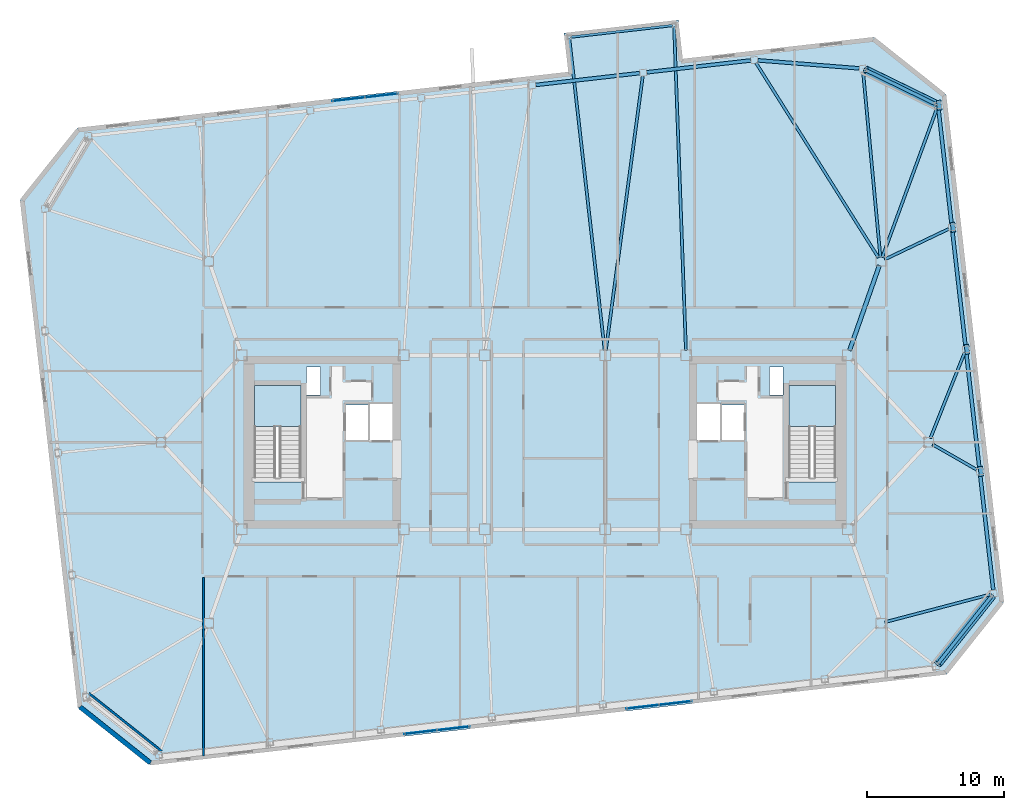
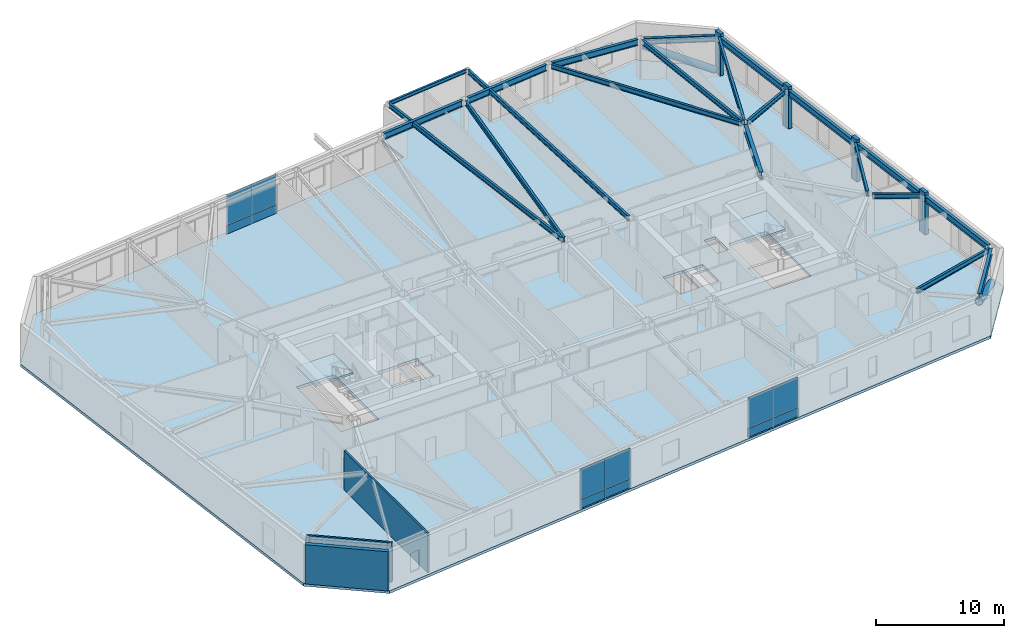
# One storey, part 13 of 21: 21 beams, 12 plates, 6 members, 3 slabs, 3 walls, 5 elements without a shape of their own.
"""IFC4 building model written with IfcOpenShell, lengths in metres."""

from ifc_helpers import new_model, si_unit, direction, frame, frame_2d, origin, origin_2d, place, context, subcontext, project, spatial, polyline, rectangle, hollow_circle, i_section, outline, extrude, material, layer, layer_set, material_profile, profile_set, type_object, element, aggregate, save


model = new_model("IFC4")

# Units and contexts
model_context = context("Model", 3, precision=1e-05, world=origin(), true_north=direction((0.0, 1.0)))
body_context = subcontext(model_context, "Body", "Model", "MODEL_VIEW")
ifc_project = project(units=[si_unit("LENGTHUNIT", "METRE"), si_unit("AREAUNIT", "SQUARE_METRE"), si_unit("VOLUMEUNIT", "CUBIC_METRE"), si_unit("PLANEANGLEUNIT", "RADIAN"), si_unit("MASSUNIT", "GRAM", prefix="KILO")], contexts=[model_context])

# Site, building, storey
site_placement = place(None, origin())
site = spatial("IfcSite", under=ifc_project, at=site_placement, CompositionType="ELEMENT")
building_placement = place(site_placement, origin())
building = spatial("IfcBuilding", under=site, at=building_placement, Name="Tavrogorsk Clinical Tower", CompositionType="ELEMENT")
storey_placement = place(building_placement, frame((0.0, 0.0, 247.0)))
storey = spatial("IfcBuildingStorey", under=building, at=storey_placement, Name="L57", CompositionType="ELEMENT", Elevation=247.0)

# Members
ifc_material_1 = material(Name="Structural steel S440", Category="steel")
ifc_material_profile_1 = material_profile(ifc_material_1, hollow_circle(Radius=0.304931640625, WallThickness=0.02490234375, at=origin_2d()), Name="CHS-610x25")
ifc_profile_set_1 = profile_set([ifc_material_profile_1], Name="Structural steel S440")
member_type_1 = type_object("IfcMemberType", Name="ExoBrace_CHS610", PredefinedType="BRACE", material=ifc_profile_set_1)
member_1_placement = place(storey_placement, frame((32.5859375, -11.2197265625, 0.398193359375), z_axis=(-0.575789482159, -0.723851679348, 0.380138420237), x_axis=(0.782601910855, -0.622522488852, 0.0)))
element("IfcMember", 1, at=member_1_placement, inside=storey, type_object=member_type_1, Name="L57 Corner Exoskeleton Brace S8-E1", PredefinedType="BRACE", context=body_context, shape_type="SweptSolid", body=[
    extrude(hollow_circle(Radius=0.304931640625, WallThickness=0.02490234375, at=origin_2d()), origin(), (0.0, 0.0, 1.0), 6.8232421875),
])
member_2_placement = place(storey_placement, frame((28.46630859375, 24.679443359375, 0.4072265625), z_axis=(-0.817526882464, 0.398699450942, 0.41555811178), x_axis=(-0.438340015424, -0.898809229413, 0.0)))
element("IfcMember", 2, at=member_2_placement, inside=storey, type_object=member_type_1, Name="L57 Corner Exoskeleton Brace E5-N1", PredefinedType="BRACE", context=body_context, shape_type="SweptSolid", body=[
    extrude(hollow_circle(Radius=0.304931640625, WallThickness=0.02490234375, at=origin_2d()), origin(), (0.0, 0.0, 1.0), 6.1982421875),
])

# Beams
ifc_material_2 = material(Name="Structural steel S355", Category="steel")
ifc_material_profile_2 = material_profile(ifc_material_2, i_section(OverallWidth=0.199951171875, OverallDepth=0.449951171875, WebThickness=0.011474609375, FlangeThickness=0.01806640625, at=origin_2d()), Name="B-450x200x11.5x18")
ifc_profile_set_2 = profile_set([ifc_material_profile_2], Name="Structural steel S355")
beam_type_1 = type_object("IfcBeamType", Name="FloorBeam_B450", PredefinedType="BEAM", material=ifc_profile_set_2)
beam_1_placement = place(storey_placement, frame((24.47119140625, 13.508544921875, 3.514892578125), z_axis=(-0.092940409745, 0.99567167291, 0.0), x_axis=(-0.99567167291, -0.092940409745, 0.0)))
element("IfcBeam", 3, at=beam_1_placement, inside=storey, type_object=beam_type_1, Name="L57 Radial Floor Beam N1", PredefinedType="BEAM", context=body_context, shape_type="SweptSolid", body=[
    extrude(i_section(OverallWidth=0.199951171875, OverallDepth=0.449951171875, WebThickness=0.011474609375, FlangeThickness=0.01806640625, at=origin_2d()), origin(), (0.0, 0.0, 1.0), 13.546630859375),
])
beam_2_placement = place(storey_placement, frame((24.3349609375, 13.46240234375, 3.514892578125), z_axis=(-0.53234144439, 0.84652973166, 0.0), x_axis=(-0.84652973166, -0.53234144439, 0.0)))
element("IfcBeam", 4, at=beam_2_placement, inside=storey, type_object=beam_type_1, Name="L57 Radial Floor Beam N2", PredefinedType="BEAM", context=body_context, shape_type="SweptSolid", body=[
    extrude(i_section(OverallWidth=0.199951171875, OverallDepth=0.449951171875, WebThickness=0.011474609375, FlangeThickness=0.01806640625, at=origin_2d()), origin(), (0.0, 0.0, 1.0), 16.7734375),
])
beam_3_placement = place(storey_placement, frame((4.447998046875, 6.706787109375, 3.514892578125), z_axis=(0.133328812355, 0.991071858039, 0.0), x_axis=(-0.991071858039, 0.133328812355, 0.0)))
element("IfcBeam", 5, at=beam_3_placement, inside=storey, type_object=beam_type_1, Name="L57 Radial Floor Beam N3", PredefinedType="BEAM", context=body_context, shape_type="SweptSolid", body=[
    extrude(i_section(OverallWidth=0.199951171875, OverallDepth=0.449951171875, WebThickness=0.011474609375, FlangeThickness=0.01806640625, at=origin_2d()), origin(), (0.0, 0.0, 1.0), 20.17529296875),
])
beam_4_placement = place(storey_placement, frame((24.7998046875, -13.12109375, 3.514892578125), z_axis=(0.967072149487, 0.254502372652, 0.0), x_axis=(-0.254502372652, 0.967072149487, 0.0)))
element("IfcBeam", 6, at=beam_4_placement, inside=storey, type_object=beam_type_1, Name="L57 Radial Floor Beam E1", PredefinedType="BEAM", context=body_context, shape_type="SweptSolid", body=[
    extrude(i_section(OverallWidth=0.199951171875, OverallDepth=0.449951171875, WebThickness=0.011474609375, FlangeThickness=0.01806640625, at=origin_2d()), origin(), (0.0, 0.0, 1.0), 7.94677734375),
])
beam_5_placement = place(storey_placement, frame((28.26904296875, -0.154052734375, 3.514892578125), z_axis=(0.867782232017, -0.49694466271, 0.0), x_axis=(0.49694466271, 0.867782232017, 0.0)))
element("IfcBeam", 7, at=beam_5_placement, inside=storey, type_object=beam_type_1, Name="L57 Radial Floor Beam E2", PredefinedType="BEAM", context=body_context, shape_type="SweptSolid", body=[
    extrude(i_section(OverallWidth=0.199951171875, OverallDepth=0.449951171875, WebThickness=0.011474609375, FlangeThickness=0.01806640625, at=origin_2d()), origin(), (0.0, 0.0, 1.0), 3.718994140625),
])
beam_6_placement = place(storey_placement, frame((28.114990234375, 0.287841796875, 3.514892578125), z_axis=(0.371052625529, 0.928611839838, 0.0), x_axis=(-0.928611839838, 0.371052625529, 0.0)))
element("IfcBeam", 8, at=beam_6_placement, inside=storey, type_object=beam_type_1, Name="L57 Radial Floor Beam E3", PredefinedType="BEAM", context=body_context, shape_type="SweptSolid", body=[
    extrude(i_section(OverallWidth=0.199951171875, OverallDepth=0.449951171875, WebThickness=0.011474609375, FlangeThickness=0.01806640625, at=origin_2d()), origin(), (0.0, 0.0, 1.0), 6.724365234375),
])
beam_7_placement = place(storey_placement, frame((24.77978515625, 13.333251953125, 3.514892578125), z_axis=(0.90270896244, 0.43025170439, 0.0), x_axis=(-0.43025170439, 0.90270896244, 0.0)))
element("IfcBeam", 9, at=beam_7_placement, inside=storey, type_object=beam_type_1, Name="L57 Radial Floor Beam E4", PredefinedType="BEAM", context=body_context, shape_type="SweptSolid", body=[
    extrude(i_section(OverallWidth=0.199951171875, OverallDepth=0.449951171875, WebThickness=0.011474609375, FlangeThickness=0.01806640625, at=origin_2d()), origin(), (0.0, 0.0, 1.0), 5.182861328125),
])
beam_8_placement = place(storey_placement, frame((24.60693359375, 13.490966796875, 3.514892578125), z_axis=(0.34467380093, 0.938722520744, 0.0), x_axis=(-0.938722520744, 0.34467380093, 0.0)))
element("IfcBeam", 10, at=beam_8_placement, inside=storey, type_object=beam_type_1, Name="L57 Radial Floor Beam E5", PredefinedType="BEAM", context=body_context, shape_type="SweptSolid", body=[
    extrude(i_section(OverallWidth=0.199951171875, OverallDepth=0.449951171875, WebThickness=0.011474609375, FlangeThickness=0.01806640625, at=origin_2d()), origin(), (0.0, 0.0, 1.0), 11.55126953125),
])
beam_9_placement = place(storey_placement, frame((4.359375, 6.707763671875, 3.514892578125), z_axis=(-0.112582800014, 0.993642346693, 0.0), x_axis=(-0.993642346693, -0.112582800014, 0.0)))
element("IfcBeam", 11, at=beam_9_placement, inside=storey, type_object=beam_type_1, Name="L57 Day-Room Cantilever Beam DRB-08-L", PredefinedType="BEAM", context=body_context, shape_type="SweptSolid", body=[
    extrude(i_section(OverallWidth=0.199951171875, OverallDepth=0.449951171875, WebThickness=0.011474609375, FlangeThickness=0.01806640625, at=origin_2d()), origin(), (0.0, 0.0, 1.0), 22.84130859375),
])
beam_10_placement = place(storey_placement, frame((10.286865234375, 6.709716796875, 3.514892578125), z_axis=(-0.036433803954, 0.999336068562, 0.0), x_axis=(-0.999336068562, -0.036433803954, 0.0)))
element("IfcBeam", 12, at=beam_10_placement, inside=storey, type_object=beam_type_1, Name="L57 Day-Room Cantilever Beam DRB-08-R", PredefinedType="BEAM", context=body_context, shape_type="SweptSolid", body=[
    extrude(i_section(OverallWidth=0.199951171875, OverallDepth=0.449951171875, WebThickness=0.011474609375, FlangeThickness=0.01806640625, at=origin_2d()), origin(), (0.0, 0.0, 1.0), 23.58056640625),
])

# Members
ifc_material_3 = material(Name="Precast concrete B45 with limestone cladding", Category="masonry")
ifc_material_profile_3 = material_profile(ifc_material_3, rectangle(XDim=0.320068359375, YDim=0.719970703125, at=origin_2d()), Name="LIMESTONE-FIN-320x720")
ifc_profile_set_3 = profile_set([ifc_material_profile_3], Name="Precast concrete B45 with limestone cladding")
member_type_2 = type_object("IfcMemberType", Name="LimestonePleatFin_320x720", PredefinedType="USERDEFINED", material=ifc_profile_set_3)
for number, where, z_axis, x_axis, name in (
    (13, (31.799560546875, -2.121337890625, 0.0), (0.0, 0.0, 1.0), (0.993571855677, 0.113203213768, 0.0), "L57 E Pleated Stone Fin 1"),
    (14, (30.785400390625, 6.781005859375, 0.0), (0.0, 0.0, 1.0), (0.993571855677, 0.113203213768, 0.0), "L57 E Pleated Stone Fin 2"),
    (15, (29.77099609375, 15.683349609375, 0.0), (0.0, 0.0, 1.0), (0.993571855677, 0.113203213768, 0.0), "L57 E Pleated Stone Fin 3"),
    (16, (28.756591796875, 24.585693359375, 0.0), (0.0, 0.0, 1.0), (0.993571855677, 0.113203213768, 0.0), "L57 E Pleated Stone Fin 4"),
):
    element("IfcMember", number, at=place(storey_placement, frame(where, z_axis=z_axis, x_axis=x_axis)), inside=storey, type_object=member_type_2, Name=name, ObjectType="FIN", PredefinedType="USERDEFINED", context=body_context, shape_type="SweptSolid", body=[
        extrude(rectangle(XDim=0.320068359375, YDim=0.719970703125, at=origin_2d()), origin(), (0.0, 0.0, 1.0), 4.0),
    ])

# Beams
ifc_material_4 = material(Name="Structural steel S390", Category="steel")
ifc_material_profile_4 = material_profile(ifc_material_4, i_section(OverallWidth=0.300048828125, OverallDepth=0.699951171875, WebThickness=0.01708984375, FlangeThickness=0.028076171875, at=origin_2d()), Name="B-700x300x17x28")
ifc_profile_set_4 = profile_set([ifc_material_profile_4], Name="Structural steel S390")
beam_type_2 = type_object("IfcBeamType", Name="PrimaryGirder_B700", PredefinedType="USERDEFINED", material=ifc_profile_set_4)
beam_11_placement = place(storey_placement, frame((24.3974609375, 12.907470703125, 3.389892578125), z_axis=(-0.330654121425, -0.943752007672, 0.0), x_axis=(0.943752007672, -0.330654121425, 0.0)))
element("IfcBeam", 17, at=beam_11_placement, inside=storey, type_object=beam_type_2, Name="L57 Spine Link Girder OPG-4", ObjectType="GIRDER", PredefinedType="USERDEFINED", context=body_context, shape_type="SweptSolid", body=[
    extrude(i_section(OverallWidth=0.300048828125, OverallDepth=0.699951171875, WebThickness=0.01708984375, FlangeThickness=0.028076171875, at=origin_2d()), origin(), (0.0, 0.0, 1.0), 6.58837890625),
])
ifc_material_5 = material(Name="Structural steel S355", Category="steel")
ifc_material_profile_5 = material_profile(ifc_material_5, i_section(OverallWidth=0.175048828125, OverallDepth=0.35009765625, WebThickness=0.009521484375, FlangeThickness=0.013916015625, at=origin_2d()), Name="B-350x175x9.5x14")
ifc_profile_set_5 = profile_set([ifc_material_profile_5], Name="Structural steel S355")
beam_type_3 = type_object("IfcBeamType", Name="SecondaryJoist_B350", PredefinedType="JOIST", material=ifc_profile_set_5)
beam_12_placement = place(storey_placement, frame((1.891357421875, 29.556396484375, 3.56494140625), z_axis=(0.993572168801, 0.113200465477, 0.0), x_axis=(-0.113200465477, 0.993572168801, 0.0)))
element("IfcBeam", 18, at=beam_12_placement, inside=storey, type_object=beam_type_3, Name="L57 Day-Room Front Edge Beam DRB-08", PredefinedType="JOIST", context=body_context, shape_type="SweptSolid", body=[
    extrude(i_section(OverallWidth=0.175048828125, OverallDepth=0.35009765625, WebThickness=0.009521484375, FlangeThickness=0.013916015625, at=origin_2d()), origin(), (0.0, 0.0, 1.0), 7.4599609375),
])
ifc_material_6 = material(Name="Structural steel S390", Category="steel")
ifc_material_profile_6 = material_profile(ifc_material_6, i_section(OverallWidth=0.260009765625, OverallDepth=0.60009765625, WebThickness=0.014892578125, FlangeThickness=0.02392578125, at=origin_2d()), Name="B-600x260x15x24")
ifc_profile_set_6 = profile_set([ifc_material_profile_6], Name="Structural steel S390")
beam_type_4 = type_object("IfcBeamType", Name="SpandrelBeam_B600", PredefinedType="SPANDREL", material=ifc_profile_set_6)
beam_13_placement = place(storey_placement, frame((28.669189453125, -16.1435546875, 3.43994140625), z_axis=(0.622513813188, 0.782608811853, 0.0), x_axis=(-0.782608811853, 0.622513813188, 0.0)))
element("IfcBeam", 19, at=beam_13_placement, inside=storey, type_object=beam_type_4, Name="L57 Perimeter Spandrel S8-E1", PredefinedType="SPANDREL", context=body_context, shape_type="SweptSolid", body=[
    extrude(i_section(OverallWidth=0.260009765625, OverallDepth=0.60009765625, WebThickness=0.014892578125, FlangeThickness=0.02392578125, at=origin_2d()), origin(), (0.0, 0.0, 1.0), 6.272216796875),
])
for number, where, z_axis, x_axis, name in (
    (20, (32.705078125, -10.776611328125, 3.43994140625), (-0.113191877531, 0.993573147212, 0.0), (-0.993573147212, -0.113191877531, 0.0), "L57 Perimeter Spandrel E1-E2"),
    (21, (31.69091796875, -1.874267578125, 3.43994140625), (-0.113191877531, 0.993573147212, 0.0), (-0.993573147212, -0.113191877531, 0.0), "L57 Perimeter Spandrel E2-E3"),
):
    element("IfcBeam", number, at=place(storey_placement, frame(where, z_axis=z_axis, x_axis=x_axis)), inside=storey, type_object=beam_type_4, Name=name, PredefinedType="SPANDREL", context=body_context, shape_type="SweptSolid", body=[
        extrude(i_section(OverallWidth=0.260009765625, OverallDepth=0.60009765625, WebThickness=0.014892578125, FlangeThickness=0.02392578125, at=origin_2d()), origin(), (0.0, 0.0, 1.0), 8.444091796875),
    ])
for number, where, z_axis, x_axis, name in (
    (22, (30.676513671875, 7.0283203125, 3.43994140625), (-0.113195129234, 0.99357277676, 0.0), (-0.99357277676, -0.113195129234, 0.0), "L57 Perimeter Spandrel E3-E4"),
    (23, (29.662353515625, 15.9306640625, 3.43994140625), (-0.113223671813, 0.993569524563, 0.0), (-0.993569524563, -0.113223671813, 0.0), "L57 Perimeter Spandrel E4-E5"),
):
    element("IfcBeam", number, at=place(storey_placement, frame(where, z_axis=z_axis, x_axis=x_axis)), inside=storey, type_object=beam_type_4, Name=name, PredefinedType="SPANDREL", context=body_context, shape_type="SweptSolid", body=[
        extrude(i_section(OverallWidth=0.260009765625, OverallDepth=0.60009765625, WebThickness=0.014892578125, FlangeThickness=0.02392578125, at=origin_2d()), origin(), (0.0, 0.0, 1.0), 8.44384765625),
    ])
beam_14_placement = place(storey_placement, frame((28.4453125, 24.689697265625, 3.43994140625), z_axis=(-0.898811248667, 0.438335874951, 0.0), x_axis=(-0.438335874951, -0.898811248667, 0.0)))
element("IfcBeam", 24, at=beam_14_placement, inside=storey, type_object=beam_type_4, Name="L57 Perimeter Spandrel E5-N1", PredefinedType="SPANDREL", context=body_context, shape_type="SweptSolid", body=[
    extrude(i_section(OverallWidth=0.260009765625, OverallDepth=0.60009765625, WebThickness=0.014892578125, FlangeThickness=0.02392578125, at=origin_2d()), origin(), (0.0, 0.0, 1.0), 5.5908203125),
])
beam_15_placement = place(storey_placement, frame((22.930908203125, 27.273681640625, 3.43994140625), z_axis=(-0.996881705424, 0.078910489738, 0.0), x_axis=(-0.078910489738, -0.996881705424, 0.0)))
element("IfcBeam", 25, at=beam_15_placement, inside=storey, type_object=beam_type_4, Name="L57 Perimeter Spandrel N1-N2", PredefinedType="SPANDREL", context=body_context, shape_type="SweptSolid", body=[
    extrude(i_section(OverallWidth=0.260009765625, OverallDepth=0.60009765625, WebThickness=0.014892578125, FlangeThickness=0.02392578125, at=origin_2d()), origin(), (0.0, 0.0, 1.0), 7.428466796875),
])
for number, where, z_axis, x_axis, name in (
    (26, (15.01220703125, 27.850830078125, 3.43994140625), (-0.993572099834, -0.113201070804, 0.0), (0.113201070804, -0.993572099834, 0.0), "L57 Perimeter Spandrel N2-N3"),
    (27, (6.916015625, 26.928466796875, 3.43994140625), (-0.993572099834, -0.113201070804, 0.0), (0.113201070804, -0.993572099834, 0.0), "L57 Perimeter Spandrel N3-N4"),
):
    element("IfcBeam", number, at=place(storey_placement, frame(where, z_axis=z_axis, x_axis=x_axis)), inside=storey, type_object=beam_type_4, Name=name, PredefinedType="SPANDREL", context=body_context, shape_type="SweptSolid", body=[
        extrude(i_section(OverallWidth=0.260009765625, OverallDepth=0.60009765625, WebThickness=0.014892578125, FlangeThickness=0.02392578125, at=origin_2d()), origin(), (0.0, 0.0, 1.0), 7.632568359375),
    ])

# Curtain wall, plates
ifc_material_7 = material(Name="Anodised aluminium and triple IGU glazing", Category="aluminium")
ifc_layer_1 = layer(ifc_material_7, 0.179931640625)
ifc_layer_set_1 = layer_set([ifc_layer_1], Name="Anodised aluminium and triple IGU glazing")
curtain_wall_type_1 = type_object("IfcCurtainWallType", Name="CW3_SouthSlot", PredefinedType="NOTDEFINED", material=ifc_layer_set_1)
curtain_wall_1_placement = place(storey_placement, origin())
curtain_wall_1 = element("IfcCurtainWall", 28, at=curtain_wall_1_placement, inside=storey, type_object=curtain_wall_type_1, Name="L57 Curtain Wall CW-L57-S-SLOT-1", PredefinedType="NOTDEFINED")
ifc_material_8 = material(Name="Honed Podolsk limestone spandrel panel", Category="masonry")
ifc_layer_2 = layer(ifc_material_8, 0.080078125)
ifc_layer_set_2 = layer_set([ifc_layer_2], Name="Honed Podolsk limestone spandrel panel")
plate_type_1 = type_object("IfcPlateType", Name="CwSpandrelStonePanel_80", PredefinedType="CURTAIN_PANEL", material=ifc_layer_set_2)
plate_1_placement = place(storey_placement, frame((-9.066650390625, -21.139892578125, 0.001953125), z_axis=(0.0, 0.0, 1.0), x_axis=(0.993571855603, 0.11320321441, 0.0)))
plate_1 = element("IfcPlate", 29, at=plate_1_placement, type_object=plate_type_1, Name="CW-L57-S-SLOT-1 Stone Spandrel Panel 1", PredefinedType="CURTAIN_PANEL", context=body_context, shape_type="SweptSolid", body=[
    extrude(rectangle(XDim=2.39208984375, YDim=0.080078125, at=origin_2d()), origin(), (0.0, 0.0, 1.0), 0.8359375),
])
plate_2_placement = place(storey_placement, frame((-6.666259765625, -20.866455078125, 0.001953125), z_axis=(0.0, 0.0, 1.0), x_axis=(0.993571855603, 0.11320321441, 0.0)))
plate_2 = element("IfcPlate", 30, at=plate_2_placement, type_object=plate_type_1, Name="CW-L57-S-SLOT-1 Stone Spandrel Panel 2", PredefinedType="CURTAIN_PANEL", context=body_context, shape_type="SweptSolid", body=[
    extrude(rectangle(XDim=2.39208984375, YDim=0.080078125, at=origin_2d()), origin(), (0.0, 0.0, 1.0), 0.8359375),
])

curtain_wall_2_placement = place(storey_placement, origin())
curtain_wall_2 = element("IfcCurtainWall", 31, at=curtain_wall_2_placement, inside=storey, type_object=curtain_wall_type_1, Name="L57 Curtain Wall CW-L57-S-SLOT-2", PredefinedType="NOTDEFINED")
plate_3_placement = place(storey_placement, frame((7.125732421875, -19.294921875, 0.001953125), z_axis=(0.0, 0.0, 1.0), x_axis=(0.993571855603, 0.11320321441, 0.0)))
plate_3 = element("IfcPlate", 32, at=plate_3_placement, type_object=plate_type_1, Name="CW-L57-S-SLOT-2 Stone Spandrel Panel 1", PredefinedType="CURTAIN_PANEL", context=body_context, shape_type="SweptSolid", body=[
    extrude(rectangle(XDim=2.39208984375, YDim=0.080078125, at=origin_2d()), origin(), (0.0, 0.0, 1.0), 0.8359375),
])
plate_4_placement = place(storey_placement, frame((9.526123046875, -19.021484375, 0.001953125), z_axis=(0.0, 0.0, 1.0), x_axis=(0.993571855603, 0.11320321441, 0.0)))
plate_4 = element("IfcPlate", 33, at=plate_4_placement, type_object=plate_type_1, Name="CW-L57-S-SLOT-2 Stone Spandrel Panel 2", PredefinedType="CURTAIN_PANEL", context=body_context, shape_type="SweptSolid", body=[
    extrude(rectangle(XDim=2.39208984375, YDim=0.080078125, at=origin_2d()), origin(), (0.0, 0.0, 1.0), 0.8359375),
])

ifc_material_9 = material(Name="Anodised aluminium and triple IGU glazing", Category="aluminium")
ifc_layer_3 = layer(ifc_material_9, 0.179931640625)
ifc_layer_set_3 = layer_set([ifc_layer_3], Name="Anodised aluminium and triple IGU glazing")
curtain_wall_type_2 = type_object("IfcCurtainWallType", Name="CW2_NorthSlot", PredefinedType="NOTDEFINED", material=ifc_layer_set_3)
curtain_wall_3_placement = place(storey_placement, origin())
curtain_wall_3 = element("IfcCurtainWall", 34, at=curtain_wall_3_placement, inside=storey, type_object=curtain_wall_type_2, Name="L57 Curtain Wall CW-L57-N-SLOT-1", PredefinedType="NOTDEFINED")
plate_5_placement = place(storey_placement, frame((-11.92578125, 25.294921875, 0.001953125), z_axis=(0.0, 0.0, 1.0), x_axis=(-0.993571855603, -0.11320321441, 0.0)))
plate_5 = element("IfcPlate", 35, at=plate_5_placement, type_object=plate_type_1, Name="CW-L57-N-SLOT-1 Stone Spandrel Panel 1", PredefinedType="CURTAIN_PANEL", context=body_context, shape_type="SweptSolid", body=[
    extrude(rectangle(XDim=2.39208984375, YDim=0.080078125, at=origin_2d()), origin(), (0.0, 0.0, 1.0), 0.8359375),
])
plate_6_placement = place(storey_placement, frame((-14.326171875, 25.021484375, 0.001953125), z_axis=(0.0, 0.0, 1.0), x_axis=(-0.993571855603, -0.11320321441, 0.0)))
plate_6 = element("IfcPlate", 36, at=plate_6_placement, type_object=plate_type_1, Name="CW-L57-N-SLOT-1 Stone Spandrel Panel 2", PredefinedType="CURTAIN_PANEL", context=body_context, shape_type="SweptSolid", body=[
    extrude(rectangle(XDim=2.39208984375, YDim=0.080078125, at=origin_2d()), origin(), (0.0, 0.0, 1.0), 0.8359375),
])

# Plate
ifc_material_10 = material(Name="Triple low-E argon insulated glass", Category="glass")
ifc_layer_4 = layer(ifc_material_10, 0.048095703125)
ifc_layer_set_4 = layer_set([ifc_layer_4], Name="Triple low-E argon insulated glass")
plate_type_2 = type_object("IfcPlateType", Name="CwVisionGlassPanel_48", PredefinedType="CURTAIN_PANEL", material=ifc_layer_set_4)
plate_7_placement = place(storey_placement, frame((-9.066650390625, -21.139892578125, 0.862060546875), z_axis=(0.0, 0.0, 1.0), x_axis=(0.993571855603, 0.11320321441, 0.0)))
plate_7 = element("IfcPlate", 37, at=plate_7_placement, type_object=plate_type_2, Name="CW-L57-S-SLOT-1 Glazing Panel 1", PredefinedType="CURTAIN_PANEL", context=body_context, shape_type="SweptSolid", body=[
    extrude(rectangle(XDim=2.39208984375, YDim=0.048095703125, at=origin_2d()), origin(), (0.0, 0.0, 1.0), 2.8759765625),
])

plate_8_placement = place(storey_placement, frame((-6.666259765625, -20.866455078125, 0.862060546875), z_axis=(0.0, 0.0, 1.0), x_axis=(0.993571855603, 0.11320321441, 0.0)))
plate_8 = element("IfcPlate", 38, at=plate_8_placement, type_object=plate_type_2, Name="CW-L57-S-SLOT-1 Glazing Panel 2", PredefinedType="CURTAIN_PANEL", context=body_context, shape_type="SweptSolid", body=[
    extrude(rectangle(XDim=2.39208984375, YDim=0.048095703125, at=origin_2d()), origin(), (0.0, 0.0, 1.0), 2.8759765625),
])

aggregate(curtain_wall_1, [plate_1, plate_7, plate_2, plate_8])

plate_9_placement = place(storey_placement, frame((7.125732421875, -19.294921875, 0.862060546875), z_axis=(0.0, 0.0, 1.0), x_axis=(0.993571855603, 0.11320321441, 0.0)))
plate_9 = element("IfcPlate", 39, at=plate_9_placement, type_object=plate_type_2, Name="CW-L57-S-SLOT-2 Glazing Panel 1", PredefinedType="CURTAIN_PANEL", context=body_context, shape_type="SweptSolid", body=[
    extrude(rectangle(XDim=2.39208984375, YDim=0.048095703125, at=origin_2d()), origin(), (0.0, 0.0, 1.0), 2.8759765625),
])

plate_10_placement = place(storey_placement, frame((9.526123046875, -19.021484375, 0.862060546875), z_axis=(0.0, 0.0, 1.0), x_axis=(0.993571855603, 0.11320321441, 0.0)))
plate_10 = element("IfcPlate", 40, at=plate_10_placement, type_object=plate_type_2, Name="CW-L57-S-SLOT-2 Glazing Panel 2", PredefinedType="CURTAIN_PANEL", context=body_context, shape_type="SweptSolid", body=[
    extrude(rectangle(XDim=2.39208984375, YDim=0.048095703125, at=origin_2d()), origin(), (0.0, 0.0, 1.0), 2.8759765625),
])

aggregate(curtain_wall_2, [plate_3, plate_9, plate_4, plate_10])

plate_11_placement = place(storey_placement, frame((-11.92578125, 25.294921875, 0.862060546875), z_axis=(0.0, 0.0, 1.0), x_axis=(-0.993571855603, -0.11320321441, 0.0)))
plate_11 = element("IfcPlate", 41, at=plate_11_placement, type_object=plate_type_2, Name="CW-L57-N-SLOT-1 Glazing Panel 1", PredefinedType="CURTAIN_PANEL", context=body_context, shape_type="SweptSolid", body=[
    extrude(rectangle(XDim=2.39208984375, YDim=0.048095703125, at=origin_2d()), origin(), (0.0, 0.0, 1.0), 2.8759765625),
])

plate_12_placement = place(storey_placement, frame((-14.326171875, 25.021484375, 0.862060546875), z_axis=(0.0, 0.0, 1.0), x_axis=(-0.993571855603, -0.11320321441, 0.0)))
plate_12 = element("IfcPlate", 42, at=plate_12_placement, type_object=plate_type_2, Name="CW-L57-N-SLOT-1 Glazing Panel 2", PredefinedType="CURTAIN_PANEL", context=body_context, shape_type="SweptSolid", body=[
    extrude(rectangle(XDim=2.39208984375, YDim=0.048095703125, at=origin_2d()), origin(), (0.0, 0.0, 1.0), 2.8759765625),
])

aggregate(curtain_wall_3, [plate_5, plate_11, plate_6, plate_12])

# Stair, slab
ifc_material_11 = material(Name="Concrete B60", Category="concrete")
stair_type = type_object("IfcStairType", Name="CoreStairAssembly", PredefinedType="HALF_TURN_STAIR", material=ifc_material_11)
stair_1_placement = place(storey_placement, origin())
stair_1 = element("IfcStair", 43, at=stair_1_placement, inside=storey, type_object=stair_type, Name="L57 ST-W", PredefinedType="HALF_TURN_STAIR")
ifc_material_12 = material(Name="Concrete B60", Category="concrete")
ifc_layer_5 = layer(ifc_material_12, 0.199951171875)
ifc_layer_set_5 = layer_set([ifc_layer_5], Name="Concrete B60")
slab_type_1 = type_object("IfcSlabType", Name="StairLanding_200", PredefinedType="LANDING", material=ifc_layer_set_5)
slab_1_placement = place(storey_placement, frame((0.0, 0.0, 1.800048828125)))
slab_1 = element("IfcSlab", 44, at=slab_1_placement, type_object=slab_type_1, Name="ST-W landing 1", PredefinedType="LANDING", context=body_context, shape_type="SweptSolid", body=[
    extrude(outline(polyline([(-17.800048828125, 1.1650390625), (-17.800048828125, 4.125), (-21.199951171875, 4.125), (-21.199951171875, 1.1650390625), (-17.800048828125, 1.1650390625)])), origin(), (0.0, 0.0, 1.0), 0.199951171875),
])
aggregate(stair_1, [slab_1])

stair_2_placement = place(storey_placement, origin())
stair_2 = element("IfcStair", 45, at=stair_2_placement, inside=storey, type_object=stair_type, Name="L57 ST-E", PredefinedType="HALF_TURN_STAIR")
slab_2_placement = place(storey_placement, frame((0.0, 0.0, 1.800048828125)))
slab_2 = element("IfcSlab", 46, at=slab_2_placement, type_object=slab_type_1, Name="ST-E landing 1", PredefinedType="LANDING", context=body_context, shape_type="SweptSolid", body=[
    extrude(outline(polyline([(21.199951171875, 1.1650390625), (21.199951171875, 4.125), (17.800048828125, 4.125), (17.800048828125, 1.1650390625), (21.199951171875, 1.1650390625)])), origin(), (0.0, 0.0, 1.0), 0.199951171875),
])
aggregate(stair_2, [slab_2])

# Slab
ifc_material_13 = material(Name="Concrete B60", Category="concrete")
ifc_layer_6 = layer(ifc_material_13, 0.260009765625)
ifc_layer_set_6 = layer_set([ifc_layer_6], Name="Concrete B60")
slab_type_2 = type_object("IfcSlabType", Name="WardSlab_260", PredefinedType="FLOOR", material=ifc_layer_set_6)
slab_3_placement = place(storey_placement, frame((0.0, 0.0, -0.260009765625)))
element("IfcSlab", 47, at=slab_3_placement, inside=storey, type_object=slab_type_2, Name="L57 Structural Slab", PredefinedType="FLOOR", context=body_context, shape_type="SweptSolid", body=[
    extrude(outline(polyline([(23.96337890625, 29.55517578125), (29.27587890625, 25.329345703125), (33.487060546875, -11.631591796875), (29.26123046875, -16.944091796875), (-28.76318359375, -23.55517578125), (-34.075927734375, -19.329345703125), (-38.287109375, 17.631591796875), (-34.061279296875, 22.944091796875), (1.707275390625, 27.019287109375), (1.384765625, 29.85107421875), (9.730712890625, 30.802001953125), (10.05322265625, 27.97021484375), (23.96337890625, 29.55517578125)]), holes=[polyline([(-17.800048828125, -2.8798828125), (-17.800048828125, 4.125), (-21.199951171875, 4.125), (-21.199951171875, -2.8798828125), (-17.800048828125, -2.8798828125)]), polyline([(21.199951171875, -2.8798828125), (21.199951171875, 4.125), (17.800048828125, 4.125), (17.800048828125, -2.8798828125), (21.199951171875, -2.8798828125)]), polyline([(-14.6201171875, 0.169921875), (-12.860107421875, 0.169921875), (-12.860107421875, 2.72998046875), (-14.6201171875, 2.72998046875), (-14.6201171875, 0.169921875)]), polyline([(-12.840087890625, 0.1201171875), (-11.080078125, 0.1201171875), (-11.080078125, 2.780029296875), (-12.840087890625, 2.780029296875), (-12.840087890625, 0.1201171875)]), polyline([(12.860107421875, 0.169921875), (14.6201171875, 0.169921875), (14.6201171875, 2.72998046875), (12.860107421875, 2.72998046875), (12.860107421875, 0.169921875)]), polyline([(11.080078125, 0.1201171875), (12.840087890625, 0.1201171875), (12.840087890625, 2.780029296875), (11.080078125, 2.780029296875), (11.080078125, 0.1201171875)]), polyline([(-17.3798828125, 3.449951171875), (-16.3798828125, 3.449951171875), (-16.3798828125, 5.5), (-17.3798828125, 5.5), (-17.3798828125, 3.449951171875)]), polyline([(16.3798828125, 3.449951171875), (17.3798828125, 3.449951171875), (17.3798828125, 5.5), (16.3798828125, 5.5), (16.3798828125, 3.449951171875)])]), origin(), (0.0, 0.0, 1.0), 0.260009765625),
])

# Walls
ifc_material_14 = material(Name="Lightweight concrete blockwork B15", Category="masonry")
ifc_layer_7 = layer(ifc_material_14, 0.159912109375)
ifc_layer_set_7 = layer_set([ifc_layer_7], Name="Lightweight concrete blockwork B15")
wall_type_1 = type_object("IfcWallType", Name="PartitionWall_160", PredefinedType="PARTITIONING", material=ifc_layer_set_7)
wall_1_placement = place(storey_placement, frame((-33.265380859375, -18.310546875, 0.0), z_axis=(0.0, 0.0, 1.0), x_axis=(0.782602647064, -0.622521563328, 0.0)))
element("IfcWall", 48, at=wall_1_placement, inside=storey, type_object=wall_type_1, Name="L57 Corner Exoskeleton Brace Furring Wall 4", PredefinedType="PARTITIONING", context=body_context, shape_type="SweptSolid", body=[
    extrude(rectangle(XDim=6.788330078125, YDim=0.159912109375, at=frame_2d((3.39404296875, 0.0))), origin(), (0.0, 0.0, 1.0), 3.739990234375),
])
wall_2_placement = place(storey_placement, frame((-24.89990234375, -22.873291015625, 0.0), z_axis=(0.0, 0.0, 1.0), x_axis=(0.0, 1.0, 0.0)))
element("IfcWall", 49, at=wall_2_placement, inside=storey, type_object=wall_type_1, Name="L57 SW Wing Closure Partition", PredefinedType="PARTITIONING", context=body_context, shape_type="SweptSolid", body=[
    extrude(rectangle(XDim=13.00830078125, YDim=0.159912109375, at=frame_2d((6.504150390625, 0.0))), origin(), (0.0, 0.0, 1.0), 3.739990234375),
])
ifc_material_15 = material(Name="Precast concrete B45 with limestone cladding", Category="masonry")
ifc_layer_8 = layer(ifc_material_15, 0.340087890625)
ifc_layer_set_8 = layer_set([ifc_layer_8], Name="Precast concrete B45 with limestone cladding")
wall_type_2 = type_object("IfcWallType", Name="PrecastLimestoneWall_340", PredefinedType="STANDARD", material=ifc_layer_set_8)
wall_3_placement = place(storey_placement, frame((-33.906982421875, -19.31005859375, 0.0), z_axis=(0.0, 0.0, 1.0), x_axis=(0.782611787794, -0.622510071892, 0.0)))
element("IfcWall", 50, at=wall_3_placement, inside=storey, type_object=wall_type_2, Name="L57 Chamfered Corner Wall 4", PredefinedType="STANDARD", context=body_context, shape_type="SweptSolid", body=[
    extrude(rectangle(XDim=6.5478515625, YDim=0.340087890625, at=frame_2d((3.27392578125, 0.0))), origin(), (0.0, 0.0, 1.0), 3.739990234375),
])

save(model, "model.ifc")
